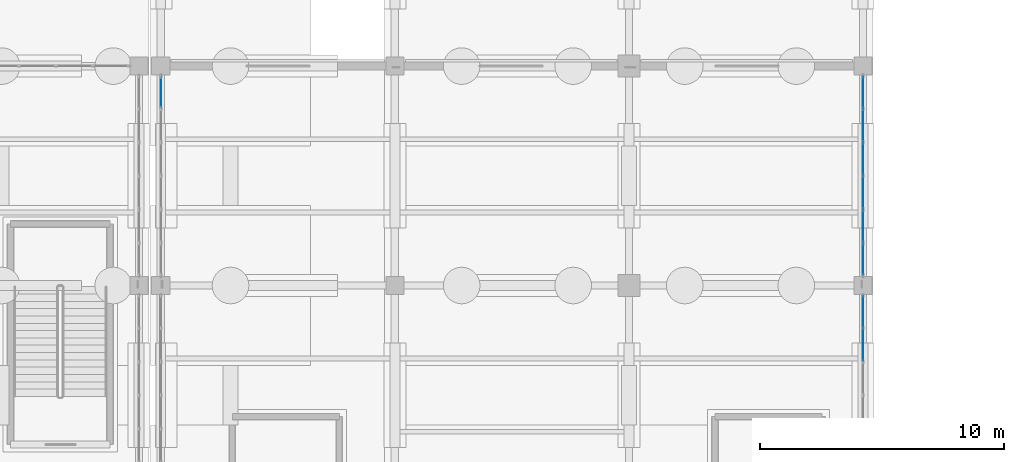
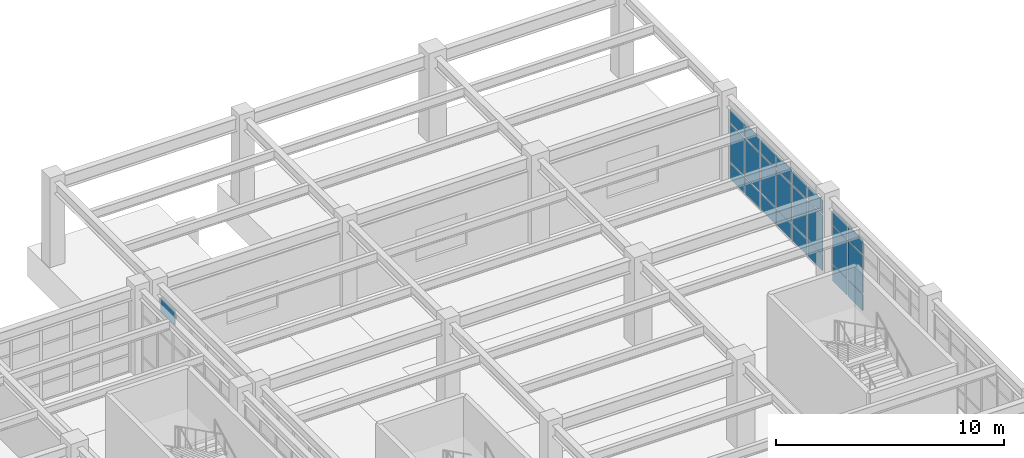
# One storey, part 105 of 139: 25 plates, 3 elements without a shape of their own.
"""IFC4 building model written with IfcOpenShell, lengths in metres."""

from ifc_helpers import new_model, si_unit, direction, frame, origin, origin_2d, place, context, subcontext, project, spatial, rectangle, extrude, material, layer, layer_set, type_object, element, aggregate, save


model = new_model("IFC4")

# Units and contexts
model_context = context("Model", 3, precision=1e-05, world=origin(), true_north=direction((0.0, 1.0)))
body_context = subcontext(model_context, "Body", "Model", "MODEL_VIEW")
ifc_project = project(units=[si_unit("LENGTHUNIT", "METRE"), si_unit("AREAUNIT", "SQUARE_METRE"), si_unit("VOLUMEUNIT", "CUBIC_METRE"), si_unit("PLANEANGLEUNIT", "RADIAN"), si_unit("MASSUNIT", "GRAM", prefix="KILO")], contexts=[model_context])

# Site, building, storey
site_placement = place(None, origin())
site = spatial("IfcSite", under=ifc_project, at=site_placement, CompositionType="ELEMENT")
building_placement = place(site_placement, origin())
building = spatial("IfcBuilding", under=site, at=building_placement, Name="Canglan Escarpment Cableway Terminal", CompositionType="ELEMENT")
storey_placement = place(building_placement, frame((0.0, 0.0, 14.39990234375)))
storey = spatial("IfcBuildingStorey", under=building, at=storey_placement, Name="L03", CompositionType="ELEMENT", Elevation=14.39990234375)

# Curtain wall, plates
ifc_material_1 = material(Name="Anodized bronze aluminium and Low-E double glazing", Category="aluminium")
curtain_wall_type = type_object("IfcCurtainWallType", Name="CW-BAY-8250x3900", PredefinedType="NOTDEFINED", material=ifc_material_1)
curtain_wall_1_placement = place(storey_placement, origin())
curtain_wall_1 = element("IfcCurtainWall", 1, at=curtain_wall_1_placement, inside=storey, type_object=curtain_wall_type, Name="Classical bay-between-piers glazed curtain wall CW-62", PredefinedType="NOTDEFINED")
ifc_material_2 = material(Name="Double-silver Low-E laminated insulating glass", Category="glass")
ifc_layer_1 = layer(ifc_material_2, 0.02392578125, Name="Double-silver Low-E laminated insulating glass")
ifc_layer_set_1 = layer_set([ifc_layer_1], Name="Double-silver Low-E laminated insulating glass")
plate_type_1 = type_object("IfcPlateType", Name="CWP-01", PredefinedType="CURTAIN_PANEL", material=ifc_layer_set_1)
plate_1_placement = place(storey_placement, frame((166.39990234375, 107.078857421875, 0.065185546875), z_axis=(0.0, 0.0, 1.0), x_axis=(0.0, 1.0, 0.0)))
plate_1 = element("IfcPlate", 2, at=plate_1_placement, type_object=plate_type_1, Name="CW-62 panel 1.1", PredefinedType="CURTAIN_PANEL", context=body_context, shape_type="SweptSolid", body=[
    extrude(rectangle(XDim=1.277587890625, YDim=0.02392578125, at=origin_2d()), origin(), (0.0, 0.0, 1.0), 0.8525390625),
])
plate_2_placement = place(storey_placement, frame((166.39990234375, 107.078857421875, 0.982666015625), z_axis=(0.0, 0.0, 1.0), x_axis=(0.0, 1.0, 0.0)))
plate_2 = element("IfcPlate", 3, at=plate_2_placement, type_object=plate_type_1, Name="CW-62 panel 1.2", PredefinedType="CURTAIN_PANEL", context=body_context, shape_type="SweptSolid", body=[
    extrude(rectangle(XDim=1.277587890625, YDim=0.02392578125, at=origin_2d()), origin(), (0.0, 0.0, 1.0), 2.02587890625),
])
plate_3_placement = place(storey_placement, frame((166.39990234375, 107.078857421875, 3.07373046875), z_axis=(0.0, 0.0, 1.0), x_axis=(0.0, 1.0, 0.0)))
plate_3 = element("IfcPlate", 4, at=plate_3_placement, type_object=plate_type_1, Name="CW-62 panel 1.3", PredefinedType="CURTAIN_PANEL", context=body_context, shape_type="SweptSolid", body=[
    extrude(rectangle(XDim=1.277587890625, YDim=0.02392578125, at=origin_2d()), origin(), (0.0, 0.0, 1.0), 0.75244140625),
])
plate_4_placement = place(storey_placement, frame((166.39990234375, 108.4375, 0.065185546875), z_axis=(0.0, 0.0, 1.0), x_axis=(0.0, 1.0, 0.0)))
plate_4 = element("IfcPlate", 5, at=plate_4_placement, type_object=plate_type_1, Name="CW-62 panel 2.1", PredefinedType="CURTAIN_PANEL", context=body_context, shape_type="SweptSolid", body=[
    extrude(rectangle(XDim=1.31005859375, YDim=0.02392578125, at=origin_2d()), origin(), (0.0, 0.0, 1.0), 0.8525390625),
])
plate_5_placement = place(storey_placement, frame((166.39990234375, 108.4375, 0.982666015625), z_axis=(0.0, 0.0, 1.0), x_axis=(0.0, 1.0, 0.0)))
plate_5 = element("IfcPlate", 6, at=plate_5_placement, type_object=plate_type_1, Name="CW-62 panel 2.2", PredefinedType="CURTAIN_PANEL", context=body_context, shape_type="SweptSolid", body=[
    extrude(rectangle(XDim=1.31005859375, YDim=0.02392578125, at=origin_2d()), origin(), (0.0, 0.0, 1.0), 2.02587890625),
])
plate_6_placement = place(storey_placement, frame((166.39990234375, 108.4375, 3.07373046875), z_axis=(0.0, 0.0, 1.0), x_axis=(0.0, 1.0, 0.0)))
plate_6 = element("IfcPlate", 7, at=plate_6_placement, type_object=plate_type_1, Name="CW-62 panel 2.3", PredefinedType="CURTAIN_PANEL", context=body_context, shape_type="SweptSolid", body=[
    extrude(rectangle(XDim=1.31005859375, YDim=0.02392578125, at=origin_2d()), origin(), (0.0, 0.0, 1.0), 0.75244140625),
])
plate_7_placement = place(storey_placement, frame((166.39990234375, 109.8125, 0.065185546875), z_axis=(0.0, 0.0, 1.0), x_axis=(0.0, 1.0, 0.0)))
plate_7 = element("IfcPlate", 8, at=plate_7_placement, type_object=plate_type_1, Name="CW-62 panel 3.1", PredefinedType="CURTAIN_PANEL", context=body_context, shape_type="SweptSolid", body=[
    extrude(rectangle(XDim=1.31005859375, YDim=0.02392578125, at=origin_2d()), origin(), (0.0, 0.0, 1.0), 0.8525390625),
])
plate_8_placement = place(storey_placement, frame((166.39990234375, 109.8125, 0.982666015625), z_axis=(0.0, 0.0, 1.0), x_axis=(0.0, 1.0, 0.0)))
plate_8 = element("IfcPlate", 9, at=plate_8_placement, type_object=plate_type_1, Name="CW-62 panel 3.2", PredefinedType="CURTAIN_PANEL", context=body_context, shape_type="SweptSolid", body=[
    extrude(rectangle(XDim=1.31005859375, YDim=0.02392578125, at=origin_2d()), origin(), (0.0, 0.0, 1.0), 2.02587890625),
])
plate_9_placement = place(storey_placement, frame((166.39990234375, 109.8125, 3.07373046875), z_axis=(0.0, 0.0, 1.0), x_axis=(0.0, 1.0, 0.0)))
plate_9 = element("IfcPlate", 10, at=plate_9_placement, type_object=plate_type_1, Name="CW-62 panel 3.3", PredefinedType="CURTAIN_PANEL", context=body_context, shape_type="SweptSolid", body=[
    extrude(rectangle(XDim=1.31005859375, YDim=0.02392578125, at=origin_2d()), origin(), (0.0, 0.0, 1.0), 0.75244140625),
])
plate_10_placement = place(storey_placement, frame((166.39990234375, 111.1875, 0.065185546875), z_axis=(0.0, 0.0, 1.0), x_axis=(0.0, 1.0, 0.0)))
plate_10 = element("IfcPlate", 11, at=plate_10_placement, type_object=plate_type_1, Name="CW-62 panel 4.1", PredefinedType="CURTAIN_PANEL", context=body_context, shape_type="SweptSolid", body=[
    extrude(rectangle(XDim=1.31005859375, YDim=0.02392578125, at=origin_2d()), origin(), (0.0, 0.0, 1.0), 0.8525390625),
])
plate_11_placement = place(storey_placement, frame((166.39990234375, 111.1875, 0.982666015625), z_axis=(0.0, 0.0, 1.0), x_axis=(0.0, 1.0, 0.0)))
plate_11 = element("IfcPlate", 12, at=plate_11_placement, type_object=plate_type_1, Name="CW-62 panel 4.2", PredefinedType="CURTAIN_PANEL", context=body_context, shape_type="SweptSolid", body=[
    extrude(rectangle(XDim=1.31005859375, YDim=0.02392578125, at=origin_2d()), origin(), (0.0, 0.0, 1.0), 2.02587890625),
])
plate_12_placement = place(storey_placement, frame((166.39990234375, 111.1875, 3.07373046875), z_axis=(0.0, 0.0, 1.0), x_axis=(0.0, 1.0, 0.0)))
plate_12 = element("IfcPlate", 13, at=plate_12_placement, type_object=plate_type_1, Name="CW-62 panel 4.3", PredefinedType="CURTAIN_PANEL", context=body_context, shape_type="SweptSolid", body=[
    extrude(rectangle(XDim=1.31005859375, YDim=0.02392578125, at=origin_2d()), origin(), (0.0, 0.0, 1.0), 0.75244140625),
])
plate_13_placement = place(storey_placement, frame((166.39990234375, 112.5625, 0.065185546875), z_axis=(0.0, 0.0, 1.0), x_axis=(0.0, 1.0, 0.0)))
plate_13 = element("IfcPlate", 14, at=plate_13_placement, type_object=plate_type_1, Name="CW-62 panel 5.1", PredefinedType="CURTAIN_PANEL", context=body_context, shape_type="SweptSolid", body=[
    extrude(rectangle(XDim=1.31005859375, YDim=0.02392578125, at=origin_2d()), origin(), (0.0, 0.0, 1.0), 0.8525390625),
])
plate_14_placement = place(storey_placement, frame((166.39990234375, 112.5625, 0.982666015625), z_axis=(0.0, 0.0, 1.0), x_axis=(0.0, 1.0, 0.0)))
plate_14 = element("IfcPlate", 15, at=plate_14_placement, type_object=plate_type_1, Name="CW-62 panel 5.2", PredefinedType="CURTAIN_PANEL", context=body_context, shape_type="SweptSolid", body=[
    extrude(rectangle(XDim=1.31005859375, YDim=0.02392578125, at=origin_2d()), origin(), (0.0, 0.0, 1.0), 2.02587890625),
])
plate_15_placement = place(storey_placement, frame((166.39990234375, 112.5625, 3.07373046875), z_axis=(0.0, 0.0, 1.0), x_axis=(0.0, 1.0, 0.0)))
plate_15 = element("IfcPlate", 16, at=plate_15_placement, type_object=plate_type_1, Name="CW-62 panel 5.3", PredefinedType="CURTAIN_PANEL", context=body_context, shape_type="SweptSolid", body=[
    extrude(rectangle(XDim=1.31005859375, YDim=0.02392578125, at=origin_2d()), origin(), (0.0, 0.0, 1.0), 0.75244140625),
])
plate_16_placement = place(storey_placement, frame((166.39990234375, 113.921142578125, 0.065185546875), z_axis=(0.0, 0.0, 1.0), x_axis=(0.0, 1.0, 0.0)))
plate_16 = element("IfcPlate", 17, at=plate_16_placement, type_object=plate_type_1, Name="CW-62 panel 6.1", PredefinedType="CURTAIN_PANEL", context=body_context, shape_type="SweptSolid", body=[
    extrude(rectangle(XDim=1.277587890625, YDim=0.02392578125, at=origin_2d()), origin(), (0.0, 0.0, 1.0), 0.8525390625),
])
plate_17_placement = place(storey_placement, frame((166.39990234375, 113.921142578125, 0.982666015625), z_axis=(0.0, 0.0, 1.0), x_axis=(0.0, 1.0, 0.0)))
plate_17 = element("IfcPlate", 18, at=plate_17_placement, type_object=plate_type_1, Name="CW-62 panel 6.2", PredefinedType="CURTAIN_PANEL", context=body_context, shape_type="SweptSolid", body=[
    extrude(rectangle(XDim=1.277587890625, YDim=0.02392578125, at=origin_2d()), origin(), (0.0, 0.0, 1.0), 2.02587890625),
])
plate_18_placement = place(storey_placement, frame((166.39990234375, 113.921142578125, 3.07373046875), z_axis=(0.0, 0.0, 1.0), x_axis=(0.0, 1.0, 0.0)))
plate_18 = element("IfcPlate", 19, at=plate_18_placement, type_object=plate_type_1, Name="CW-62 panel 6.3", PredefinedType="CURTAIN_PANEL", context=body_context, shape_type="SweptSolid", body=[
    extrude(rectangle(XDim=1.277587890625, YDim=0.02392578125, at=origin_2d()), origin(), (0.0, 0.0, 1.0), 0.75244140625),
])
aggregate(curtain_wall_1, [plate_1, plate_2, plate_3, plate_4, plate_5, plate_6, plate_7, plate_8, plate_9, plate_10, plate_11, plate_12, plate_13, plate_14, plate_15, plate_16, plate_17, plate_18])

# Curtain wall, plate
curtain_wall_2_placement = place(storey_placement, origin())
curtain_wall_2 = element("IfcCurtainWall", 20, at=curtain_wall_2_placement, inside=storey, type_object=curtain_wall_type, Name="Classical bay-between-piers glazed curtain wall CW-62", PredefinedType="NOTDEFINED")
plate_19_placement = place(storey_placement, frame((137.60009765625, 113.921142578125, 3.07373046875), z_axis=(0.0, 0.0, 1.0), x_axis=(0.0, -1.0, 0.0)))
plate_19 = element("IfcPlate", 21, at=plate_19_placement, type_object=plate_type_1, Name="CW-62 panel 1.3", PredefinedType="CURTAIN_PANEL", context=body_context, shape_type="SweptSolid", body=[
    extrude(rectangle(XDim=1.277587890625, YDim=0.02392578125, at=origin_2d()), origin(), (0.0, 0.0, 1.0), 0.75244140625),
])
aggregate(curtain_wall_2, [plate_19])

# Curtain wall, plates
curtain_wall_3_placement = place(storey_placement, origin())
curtain_wall_3 = element("IfcCurtainWall", 22, at=curtain_wall_3_placement, inside=storey, type_object=curtain_wall_type, Name="Classical bay-between-piers glazed curtain wall CW-62", PredefinedType="NOTDEFINED")
ifc_layer_2 = layer(ifc_material_2, 0.035888671875, Name="Double-silver Low-E laminated insulating glass")
ifc_layer_set_2 = layer_set([ifc_layer_2], Name="Double-silver Low-E laminated insulating glass")
plate_type_2 = type_object("IfcPlateType", Name="CWP-04", PredefinedType="CURTAIN_PANEL", material=ifc_layer_set_2)
plate_20_placement = place(storey_placement, frame((166.39990234375, 103.5625, 0.06005859375), z_axis=(0.0, 0.0, 1.0), x_axis=(0.0, 1.0, 0.0)))
plate_20 = element("IfcPlate", 23, at=plate_20_placement, type_object=plate_type_2, Name="CW-62 panel 5.1", PredefinedType="CURTAIN_PANEL", context=body_context, shape_type="SweptSolid", body=[
    extrude(rectangle(XDim=1.31005859375, YDim=0.035888671875, at=origin_2d()), origin(), (0.0, 0.0, 1.0), 0.860107421875),
])
plate_21_placement = place(storey_placement, frame((166.39990234375, 103.5625, 0.97998046875), z_axis=(0.0, 0.0, 1.0), x_axis=(0.0, 1.0, 0.0)))
plate_21 = element("IfcPlate", 24, at=plate_21_placement, type_object=plate_type_2, Name="CW-62 panel 5.2", PredefinedType="CURTAIN_PANEL", context=body_context, shape_type="SweptSolid", body=[
    extrude(rectangle(XDim=1.31005859375, YDim=0.035888671875, at=origin_2d()), origin(), (0.0, 0.0, 1.0), 2.031005859375),
])
plate_22_placement = place(storey_placement, frame((166.39990234375, 103.5625, 3.0712890625), z_axis=(0.0, 0.0, 1.0), x_axis=(0.0, 1.0, 0.0)))
plate_22 = element("IfcPlate", 25, at=plate_22_placement, type_object=plate_type_2, Name="CW-62 panel 5.3", PredefinedType="CURTAIN_PANEL", context=body_context, shape_type="SweptSolid", body=[
    extrude(rectangle(XDim=1.31005859375, YDim=0.035888671875, at=origin_2d()), origin(), (0.0, 0.0, 1.0), 0.760009765625),
])
plate_23_placement = place(storey_placement, frame((166.39990234375, 104.921142578125, 0.06005859375), z_axis=(0.0, 0.0, 1.0), x_axis=(0.0, 1.0, 0.0)))
plate_23 = element("IfcPlate", 26, at=plate_23_placement, type_object=plate_type_2, Name="CW-62 panel 6.1", PredefinedType="CURTAIN_PANEL", context=body_context, shape_type="SweptSolid", body=[
    extrude(rectangle(XDim=1.277587890625, YDim=0.035888671875, at=origin_2d()), origin(), (0.0, 0.0, 1.0), 0.860107421875),
])
plate_24_placement = place(storey_placement, frame((166.39990234375, 104.921142578125, 0.97998046875), z_axis=(0.0, 0.0, 1.0), x_axis=(0.0, 1.0, 0.0)))
plate_24 = element("IfcPlate", 27, at=plate_24_placement, type_object=plate_type_2, Name="CW-62 panel 6.2", PredefinedType="CURTAIN_PANEL", context=body_context, shape_type="SweptSolid", body=[
    extrude(rectangle(XDim=1.277587890625, YDim=0.035888671875, at=origin_2d()), origin(), (0.0, 0.0, 1.0), 2.031005859375),
])
plate_25_placement = place(storey_placement, frame((166.39990234375, 104.921142578125, 3.0712890625), z_axis=(0.0, 0.0, 1.0), x_axis=(0.0, 1.0, 0.0)))
plate_25 = element("IfcPlate", 28, at=plate_25_placement, type_object=plate_type_2, Name="CW-62 panel 6.3", PredefinedType="CURTAIN_PANEL", context=body_context, shape_type="SweptSolid", body=[
    extrude(rectangle(XDim=1.277587890625, YDim=0.035888671875, at=origin_2d()), origin(), (0.0, 0.0, 1.0), 0.760009765625),
])
aggregate(curtain_wall_3, [plate_20, plate_21, plate_22, plate_23, plate_24, plate_25])

save(model, "model.ifc")
